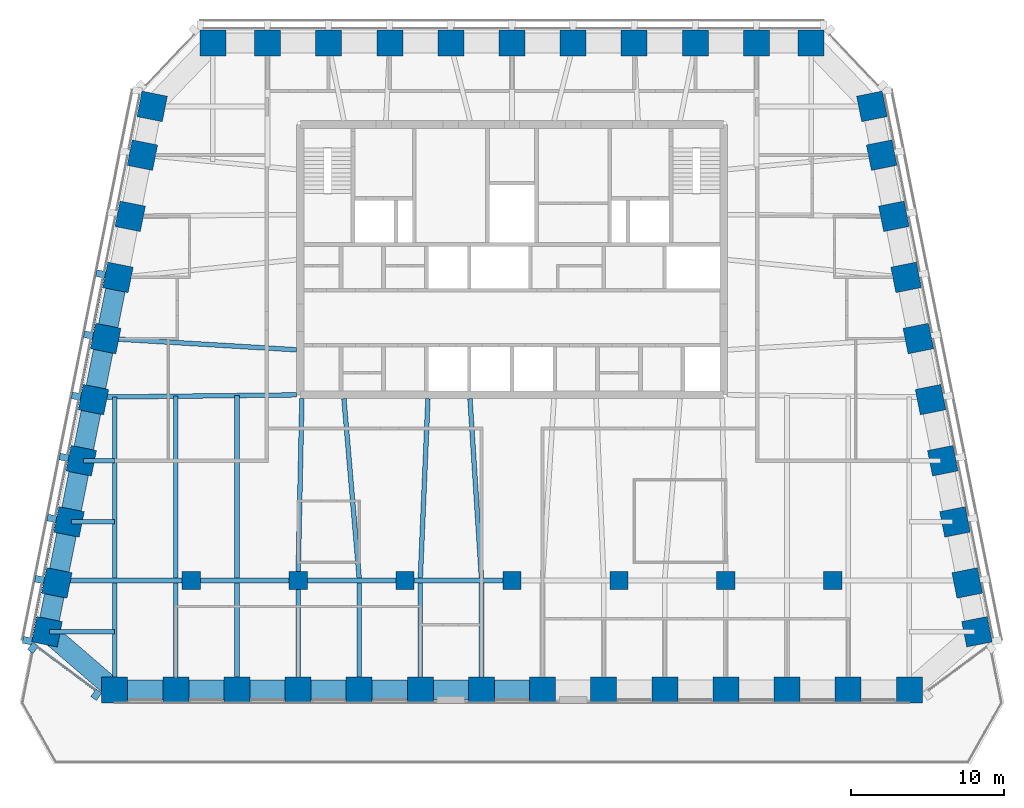
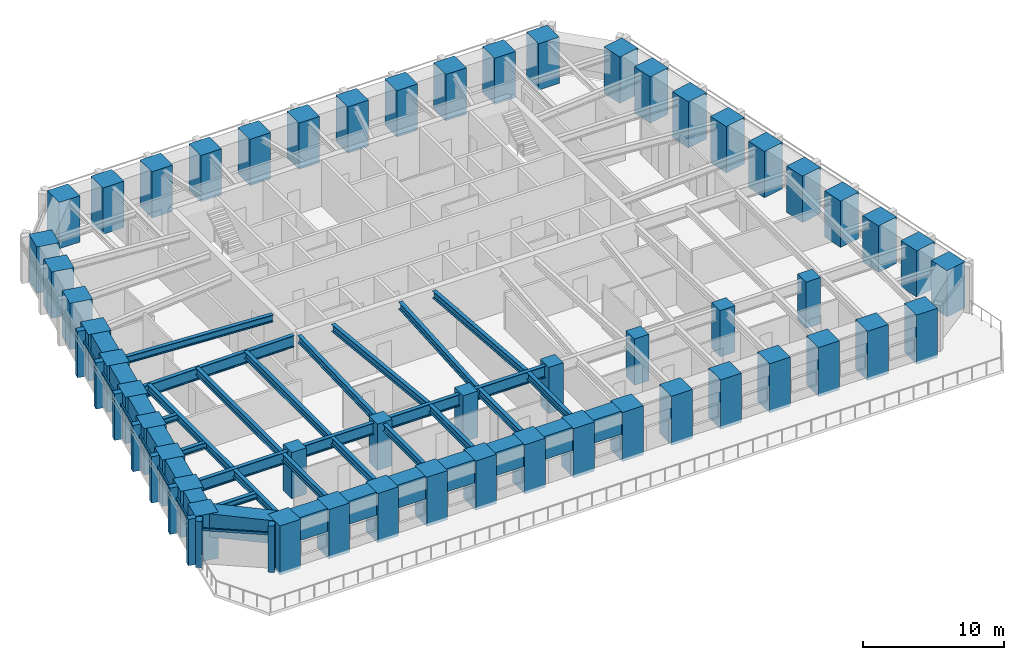
# One storey, part 1 of 10: 52 columns, 37 beams, 16 members, 2 elements without a shape of their own.
"""IFC4 building model written with IfcOpenShell, lengths in metres."""

from ifc_helpers import new_model, si_unit, direction, frame, origin, origin_2d, place, context, subcontext, project, spatial, rectangle, i_section, extrude, material, material_profile, profile_set, type_object, element, aggregate, save


model = new_model("IFC4")

# Units and contexts
model_context = context("Model", 3, precision=1e-05, world=origin(), true_north=direction((0.0, 1.0)))
body_context = subcontext(model_context, "Body", "Model", "MODEL_VIEW")
ifc_project = project(units=[si_unit("LENGTHUNIT", "METRE"), si_unit("AREAUNIT", "SQUARE_METRE"), si_unit("VOLUMEUNIT", "CUBIC_METRE"), si_unit("PLANEANGLEUNIT", "RADIAN"), si_unit("MASSUNIT", "GRAM", prefix="KILO")], contexts=[model_context])

# Site, building, storey
site_placement = place(None, origin())
site = spatial("IfcSite", under=ifc_project, at=site_placement, CompositionType="ELEMENT")
building_placement = place(site_placement, origin())
building = spatial("IfcBuilding", under=site, at=building_placement, Name="Isbrekke Arena Tower", CompositionType="ELEMENT")
storey_placement = place(building_placement, frame((0.0, 0.0, 260.0)))
storey = spatial("IfcBuildingStorey", under=building, at=storey_placement, Name="L60", CompositionType="ELEMENT", Elevation=260.0)

# Columns
ifc_material_1 = material(Name="Concrete B55 (C55/67)", Category="concrete")
ifc_material_profile_1 = material_profile(ifc_material_1, rectangle(XDim=1.199951171875, YDim=1.199951171875, at=origin_2d()), Name="RC 1200x1200")
ifc_profile_set_1 = profile_set([ifc_material_profile_1], Name="Concrete B55 (C55/67)")
column_type_1 = type_object("IfcColumnType", Name="C14 RC 1200 x 1200", PredefinedType="COLUMN", material=ifc_profile_set_1)
for number, where, z_axis, x_axis, name in (
    (1, (-21.0, -6.0, 0.0), (0.0, 0.0, 1.0), (1.0, 0.0, 0.0), "C14 I01"),
    (2, (-14.0, -6.0, 0.0), (0.0, 0.0, 1.0), (1.0, 0.0, 0.0), "C14 I02"),
    (3, (-7.0, -6.0, 0.0), (0.0, 0.0, 1.0), (1.0, 0.0, 0.0), "C14 I03"),
    (4, (0.0, -6.0, 0.0), (0.0, 0.0, 1.0), (1.0, 0.0, 0.0), "C14 I04"),
    (5, (7.0, -6.0, 0.0), (0.0, 0.0, 1.0), (1.0, 0.0, 0.0), "C14 I05"),
    (6, (14.0, -6.0, 0.0), (0.0, 0.0, 1.0), (1.0, 0.0, 0.0), "C14 I06"),
    (7, (21.0, -6.0, 0.0), (0.0, 0.0, 1.0), (1.0, 0.0, 0.0), "C14 I07"),
):
    element("IfcColumn", number, at=place(storey_placement, frame(where, z_axis=z_axis, x_axis=x_axis)), inside=storey, type_object=column_type_1, Name=name, PredefinedType="COLUMN", context=body_context, shape_type="SweptSolid", body=[
        extrude(rectangle(XDim=1.199951171875, YDim=1.199951171875, at=origin_2d()), origin(), (0.0, 0.0, 1.0), 4.0),
    ])
ifc_material_2 = material(Name="Concrete B55 (C55/67)", Category="concrete")
ifc_material_profile_2 = material_profile(ifc_material_2, rectangle(XDim=1.699951171875, YDim=1.699951171875, at=origin_2d()), Name="RC 1700x1700")
ifc_profile_set_2 = profile_set([ifc_material_profile_2], Name="Concrete B55 (C55/67)")
column_type_2 = type_object("IfcColumnType", Name="C5 RC 1700 x 1700", PredefinedType="COLUMN", material=ifc_profile_set_2)
for number, where, z_axis, x_axis, name in (
    (8, (-26.0, -13.175048828125, -0.25), (0.0, 0.0, 1.0), (1.0, 0.0, 0.0), "C5 S01"),
    (9, (-22.0, -13.175048828125, -0.25), (0.0, 0.0, 1.0), (1.0, 0.0, 0.0), "C5 S02"),
    (10, (-18.0, -13.175048828125, -0.25), (0.0, 0.0, 1.0), (1.0, 0.0, 0.0), "C5 S03"),
    (11, (-14.0, -13.175048828125, -0.25), (0.0, 0.0, 1.0), (1.0, 0.0, 0.0), "C5 S04"),
    (12, (-10.0, -13.175048828125, -0.25), (0.0, 0.0, 1.0), (1.0, 0.0, 0.0), "C5 S05"),
    (13, (-6.0, -13.175048828125, -0.25), (0.0, 0.0, 1.0), (1.0, 0.0, 0.0), "C5 S06"),
    (14, (-2.0, -13.175048828125, -0.25), (0.0, 0.0, 1.0), (1.0, 0.0, 0.0), "C5 S07"),
    (15, (2.0, -13.175048828125, -0.25), (0.0, 0.0, 1.0), (1.0, 0.0, 0.0), "C5 S08"),
    (16, (6.0, -13.175048828125, -0.25), (0.0, 0.0, 1.0), (1.0, 0.0, 0.0), "C5 S09"),
    (17, (10.0, -13.175048828125, -0.25), (0.0, 0.0, 1.0), (1.0, 0.0, 0.0), "C5 S10"),
    (18, (14.0, -13.175048828125, -0.25), (0.0, 0.0, 1.0), (1.0, 0.0, 0.0), "C5 S11"),
    (19, (18.0, -13.175048828125, -0.25), (0.0, 0.0, 1.0), (1.0, 0.0, 0.0), "C5 S12"),
    (20, (22.0, -13.175048828125, -0.25), (0.0, 0.0, 1.0), (1.0, 0.0, 0.0), "C5 S13"),
    (21, (26.0, -13.175048828125, -0.25), (0.0, 0.0, 1.0), (1.0, 0.0, 0.0), "C5 S14"),
):
    element("IfcColumn", number, at=place(storey_placement, frame(where, z_axis=z_axis, x_axis=x_axis)), inside=storey, type_object=column_type_2, Name=name, PredefinedType="COLUMN", context=body_context, shape_type="SweptSolid", body=[
        extrude(rectangle(XDim=1.699951171875, YDim=1.699951171875, at=origin_2d()), origin(), (0.0, 0.0, 1.0), 4.25),
    ])
for number, where, z_axis, x_axis, name in (
    (22, (30.42919921875, -9.352783203125, 0.0), (0.0, 0.0, 1.0), (-0.196116135138, 0.980580675691, 0.0), "C5 E01"),
    (23, (29.791015625, -6.161865234375, 0.0), (0.0, 0.0, 1.0), (-0.196116135138, 0.980580675691, 0.0), "C5 E02"),
    (24, (28.990966796875, -2.161865234375, 0.0), (0.0, 0.0, 1.0), (-0.196116135138, 0.980580675691, 0.0), "C5 E03"),
    (25, (28.19091796875, 1.838134765625, 0.0), (0.0, 0.0, 1.0), (-0.196116135138, 0.980580675691, 0.0), "C5 E04"),
    (26, (27.39111328125, 5.838134765625, 0.0), (0.0, 0.0, 1.0), (-0.196116135138, 0.980580675691, 0.0), "C5 E05"),
    (27, (26.591064453125, 9.838134765625, 0.0), (0.0, 0.0, 1.0), (-0.196116135138, 0.980580675691, 0.0), "C5 E06"),
    (28, (25.791015625, 13.838134765625, 0.0), (0.0, 0.0, 1.0), (-0.196116135138, 0.980580675691, 0.0), "C5 E07"),
    (29, (24.990966796875, 17.838134765625, 0.0), (0.0, 0.0, 1.0), (-0.196116135138, 0.980580675691, 0.0), "C5 E08"),
    (30, (24.19091796875, 21.838134765625, 0.0), (0.0, 0.0, 1.0), (-0.196116135138, 0.980580675691, 0.0), "C5 E09"),
    (31, (23.552734375, 25.029296875, 0.0), (0.0, 0.0, 1.0), (-0.196116135138, 0.980580675691, 0.0), "C5 E10"),
    (32, (19.574951171875, 29.175048828125, 0.0), (0.0, 0.0, 1.0), (-1.0, 0.0, 0.0), "C5 N01"),
    (33, (16.0, 29.175048828125, 0.0), (0.0, 0.0, 1.0), (-1.0, 0.0, 0.0), "C5 N02"),
    (34, (12.0, 29.175048828125, 0.0), (0.0, 0.0, 1.0), (-1.0, 0.0, 0.0), "C5 N03"),
    (35, (8.0, 29.175048828125, 0.0), (0.0, 0.0, 1.0), (-1.0, 0.0, 0.0), "C5 N04"),
    (36, (4.0, 29.175048828125, 0.0), (0.0, 0.0, 1.0), (-1.0, 0.0, 0.0), "C5 N05"),
    (37, (0.0, 29.175048828125, 0.0), (0.0, 0.0, 1.0), (-1.0, 0.0, 0.0), "C5 N06"),
    (38, (-4.0, 29.175048828125, 0.0), (0.0, 0.0, 1.0), (-1.0, 0.0, 0.0), "C5 N07"),
    (39, (-8.0, 29.175048828125, 0.0), (0.0, 0.0, 1.0), (-1.0, 0.0, 0.0), "C5 N08"),
    (40, (-12.0, 29.175048828125, 0.0), (0.0, 0.0, 1.0), (-1.0, 0.0, 0.0), "C5 N09"),
    (41, (-16.0, 29.175048828125, 0.0), (0.0, 0.0, 1.0), (-1.0, 0.0, 0.0), "C5 N10"),
    (42, (-19.574951171875, 29.175048828125, 0.0), (0.0, 0.0, 1.0), (-1.0, 0.0, 0.0), "C5 N11"),
    (43, (-23.552734375, 25.029296875, 0.0), (0.0, 0.0, 1.0), (-0.196116135138, -0.980580675691, 0.0), "C5 W01"),
    (44, (-24.19091796875, 21.838134765625, 0.0), (0.0, 0.0, 1.0), (-0.196116135138, -0.980580675691, 0.0), "C5 W02"),
    (45, (-24.990966796875, 17.838134765625, 0.0), (0.0, 0.0, 1.0), (-0.196116135138, -0.980580675691, 0.0), "C5 W03"),
    (46, (-25.791015625, 13.838134765625, 0.0), (0.0, 0.0, 1.0), (-0.196116135138, -0.980580675691, 0.0), "C5 W04"),
    (47, (-26.591064453125, 9.838134765625, 0.0), (0.0, 0.0, 1.0), (-0.196116135138, -0.980580675691, 0.0), "C5 W05"),
    (48, (-27.39111328125, 5.838134765625, 0.0), (0.0, 0.0, 1.0), (-0.196116135138, -0.980580675691, 0.0), "C5 W06"),
    (49, (-28.19091796875, 1.838134765625, 0.0), (0.0, 0.0, 1.0), (-0.196116135138, -0.980580675691, 0.0), "C5 W07"),
    (50, (-28.990966796875, -2.161865234375, 0.0), (0.0, 0.0, 1.0), (-0.196116135138, -0.980580675691, 0.0), "C5 W08"),
    (51, (-29.791015625, -6.161865234375, 0.0), (0.0, 0.0, 1.0), (-0.196116135138, -0.980580675691, 0.0), "C5 W09"),
    (52, (-30.42919921875, -9.352783203125, 0.0), (0.0, 0.0, 1.0), (-0.196116135138, -0.980580675691, 0.0), "C5 W10"),
):
    element("IfcColumn", number, at=place(storey_placement, frame(where, z_axis=z_axis, x_axis=x_axis)), inside=storey, type_object=column_type_2, Name=name, PredefinedType="COLUMN", context=body_context, shape_type="SweptSolid", body=[
        extrude(rectangle(XDim=1.699951171875, YDim=1.699951171875, at=origin_2d()), origin(), (0.0, 0.0, 1.0), 4.0),
    ])

# Beams
ifc_material_3 = material(Name="Steel S355", Category="steel")
ifc_material_profile_3 = material_profile(ifc_material_3, i_section(OverallWidth=0.304931640625, OverallDepth=0.6201171875, WebThickness=0.02099609375, FlangeThickness=0.0400390625, FilletRadius=0.027099609375, at=origin_2d()), Name="HEM 600")
ifc_profile_set_3 = profile_set([ifc_material_profile_3], Name="Steel S355")
beam_type_1 = type_object("IfcBeamType", Name="B4 HEM 600", PredefinedType="BEAM", material=ifc_profile_set_3)
for number, where, z_axis, x_axis, name in (
    (53, (-26.0, -13.02490234375, 3.5400390625), (0.0, 1.0, 0.0), (-1.0, 0.0, 0.0), "B4 beam S-S01 L60"),
    (54, (-22.0, -13.02490234375, 3.5400390625), (0.0, 1.0, 0.0), (-1.0, 0.0, 0.0), "B4 beam S-S02 L60"),
    (55, (-18.0, -13.02490234375, 3.5400390625), (0.0, 1.0, 0.0), (-1.0, 0.0, 0.0), "B4 beam S-S03 L60"),
):
    element("IfcBeam", number, at=place(storey_placement, frame(where, z_axis=z_axis, x_axis=x_axis)), inside=storey, type_object=beam_type_1, Name=name, PredefinedType="BEAM", context=body_context, shape_type="SweptSolid", body=[
        extrude(i_section(OverallWidth=0.304931640625, OverallDepth=0.6201171875, WebThickness=0.02099609375, FlangeThickness=0.0400390625, FilletRadius=0.027099609375, at=origin_2d()), origin(), (0.0, 0.0, 1.0), 6.8740234375),
    ])
beam_1_placement = place(storey_placement, frame((-14.0, -13.02490234375, 3.5400390625), z_axis=(0.0, 1.0, 0.0), x_axis=(-1.0, 0.0, 0.0)))
element("IfcBeam", 56, at=beam_1_placement, inside=storey, type_object=beam_type_1, Name="B4 beam S-S04 L60", PredefinedType="BEAM", context=body_context, shape_type="SweptSolid", body=[
    extrude(i_section(OverallWidth=0.304931640625, OverallDepth=0.6201171875, WebThickness=0.02099609375, FlangeThickness=0.0400390625, FilletRadius=0.027099609375, at=origin_2d()), origin(), (0.0, 0.0, 1.0), 6.875),
])
for number, where, z_axis, x_axis, name in (
    (57, (-10.0, -13.02490234375, 3.5400390625), (0.0, 1.0, 0.0), (-1.0, 0.0, 0.0), "B4 beam S-S05 L60"),
    (58, (-6.0, -13.02490234375, 3.5400390625), (0.0, 1.0, 0.0), (-1.0, 0.0, 0.0), "B4 beam S-S06 L60"),
    (59, (-2.0, -13.02490234375, 3.5400390625), (0.0, 1.0, 0.0), (-1.0, 0.0, 0.0), "B4 beam S-S07 L60"),
):
    element("IfcBeam", number, at=place(storey_placement, frame(where, z_axis=z_axis, x_axis=x_axis)), inside=storey, type_object=beam_type_1, Name=name, PredefinedType="BEAM", context=body_context, shape_type="SweptSolid", body=[
        extrude(i_section(OverallWidth=0.304931640625, OverallDepth=0.6201171875, WebThickness=0.02099609375, FlangeThickness=0.0400390625, FilletRadius=0.027099609375, at=origin_2d()), origin(), (0.0, 0.0, 1.0), 6.8740234375),
    ])
beam_2_placement = place(storey_placement, frame((-26.0, -5.84912109375, 3.5400390625), z_axis=(0.0, 1.0, 0.0), x_axis=(-1.0, 0.0, 0.0)))
element("IfcBeam", 60, at=beam_2_placement, inside=storey, type_object=beam_type_1, Name="B4 beam C-M01 L60", PredefinedType="BEAM", context=body_context, shape_type="SweptSolid", body=[
    extrude(i_section(OverallWidth=0.304931640625, OverallDepth=0.6201171875, WebThickness=0.02099609375, FlangeThickness=0.0400390625, FilletRadius=0.027099609375, at=origin_2d()), origin(), (0.0, 0.0, 1.0), 11.86474609375),
])
beam_3_placement = place(storey_placement, frame((-22.0, -5.84912109375, 3.5400390625), z_axis=(0.0, 1.0, 0.0), x_axis=(-1.0, 0.0, 0.0)))
element("IfcBeam", 61, at=beam_3_placement, inside=storey, type_object=beam_type_1, Name="B4 beam C-M02 L60", PredefinedType="BEAM", context=body_context, shape_type="SweptSolid", body=[
    extrude(i_section(OverallWidth=0.304931640625, OverallDepth=0.6201171875, WebThickness=0.02099609375, FlangeThickness=0.0400390625, FilletRadius=0.027099609375, at=origin_2d()), origin(), (0.0, 0.0, 1.0), 11.909912109375),
])
beam_4_placement = place(storey_placement, frame((-18.0, -5.84912109375, 3.5400390625), z_axis=(0.0, 1.0, 0.0), x_axis=(-1.0, 0.0, 0.0)))
element("IfcBeam", 62, at=beam_4_placement, inside=storey, type_object=beam_type_1, Name="B4 beam C-M03 L60", PredefinedType="BEAM", context=body_context, shape_type="SweptSolid", body=[
    extrude(i_section(OverallWidth=0.304931640625, OverallDepth=0.6201171875, WebThickness=0.02099609375, FlangeThickness=0.0400390625, FilletRadius=0.027099609375, at=origin_2d()), origin(), (0.0, 0.0, 1.0), 11.955078125),
])
beam_5_placement = place(storey_placement, frame((-14.0, -5.8466796875, 3.5400390625), z_axis=(0.021277968258, 0.999773598405, 0.0), x_axis=(-0.999773598405, 0.021277968258, 0.0)))
element("IfcBeam", 63, at=beam_5_placement, inside=storey, type_object=beam_type_1, Name="B4 beam C-M04 L60", PredefinedType="BEAM", context=body_context, shape_type="SweptSolid", body=[
    extrude(i_section(OverallWidth=0.304931640625, OverallDepth=0.6201171875, WebThickness=0.02099609375, FlangeThickness=0.0400390625, FilletRadius=0.027099609375, at=origin_2d()), origin(), (0.0, 0.0, 1.0), 11.749267578125),
])
beam_6_placement = place(storey_placement, frame((-10.0009765625, -5.836181640625, 3.5400390625), z_axis=(-0.084817344046, 0.996396516528, 0.0), x_axis=(-0.996396516528, -0.084817344046, 0.0)))
element("IfcBeam", 64, at=beam_6_placement, inside=storey, type_object=beam_type_1, Name="B4 beam C-M05 L60", PredefinedType="BEAM", context=body_context, shape_type="SweptSolid", body=[
    extrude(i_section(OverallWidth=0.304931640625, OverallDepth=0.6201171875, WebThickness=0.02099609375, FlangeThickness=0.0400390625, FilletRadius=0.027099609375, at=origin_2d()), origin(), (0.0, 0.0, 1.0), 11.778564453125),
])
beam_7_placement = place(storey_placement, frame((-5.999755859375, -5.842529296875, 3.5400390625), z_axis=(0.042521334166, 0.999095559064, 0.0), x_axis=(-0.999095559064, 0.042521334166, 0.0)))
element("IfcBeam", 65, at=beam_7_placement, inside=storey, type_object=beam_type_1, Name="B4 beam C-M06 L60", PredefinedType="BEAM", context=body_context, shape_type="SweptSolid", body=[
    extrude(i_section(OverallWidth=0.304931640625, OverallDepth=0.6201171875, WebThickness=0.02099609375, FlangeThickness=0.0400390625, FilletRadius=0.027099609375, at=origin_2d()), origin(), (0.0, 0.0, 1.0), 11.753173828125),
])
beam_8_placement = place(storey_placement, frame((-2.000732421875, -5.83935546875, 3.5400390625), z_axis=(-0.063696196046, 0.997969335506, 0.0), x_axis=(-0.997969335506, -0.063696196046, 0.0)))
element("IfcBeam", 66, at=beam_8_placement, inside=storey, type_object=beam_type_1, Name="B4 beam C-M07 L60", PredefinedType="BEAM", context=body_context, shape_type="SweptSolid", body=[
    extrude(i_section(OverallWidth=0.304931640625, OverallDepth=0.6201171875, WebThickness=0.02099609375, FlangeThickness=0.0400390625, FilletRadius=0.027099609375, at=origin_2d()), origin(), (0.0, 0.0, 1.0), 11.76318359375),
])
beam_9_placement = place(storey_placement, frame((-26.431884765625, 9.837646484375, 3.5400390625), z_axis=(0.998216240514, -0.059702070095, 0.0), x_axis=(0.059702070095, 0.998216240514, 0.0)))
element("IfcBeam", 67, at=beam_9_placement, inside=storey, type_object=beam_type_1, Name="B4 beam E-W05 L60", PredefinedType="BEAM", context=body_context, shape_type="SweptSolid", body=[
    extrude(i_section(OverallWidth=0.304931640625, OverallDepth=0.6201171875, WebThickness=0.02099609375, FlangeThickness=0.0400390625, FilletRadius=0.027099609375, at=origin_2d()), origin(), (0.0, 0.0, 1.0), 12.353759765625),
])
ifc_material_4 = material(Name="Steel S355", Category="steel")
ifc_material_profile_4 = material_profile(ifc_material_4, i_section(OverallWidth=0.305908203125, OverallDepth=0.52392578125, WebThickness=0.02099609375, FlangeThickness=0.0400390625, FilletRadius=0.027099609375, at=origin_2d()), Name="HEM 500")
ifc_profile_set_4 = profile_set([ifc_material_profile_4], Name="Steel S355")
beam_type_2 = type_object("IfcBeamType", Name="B5 HEM 500", PredefinedType="BEAM", material=ifc_profile_set_4)
beam_10_placement = place(storey_placement, frame((-28.041015625, 1.838134765625, 3.587890625), z_axis=(1.0, 0.0, 0.0), x_axis=(0.0, 1.0, 0.0)))
element("IfcBeam", 68, at=beam_10_placement, inside=storey, type_object=beam_type_2, Name="B5 beam E-W07 L60", PredefinedType="BEAM", context=body_context, shape_type="SweptSolid", body=[
    extrude(i_section(OverallWidth=0.305908203125, OverallDepth=0.52392578125, WebThickness=0.02099609375, FlangeThickness=0.0400390625, FilletRadius=0.027099609375, at=origin_2d()), origin(), (0.0, 0.0, 1.0), 2.041015625),
])
beam_11_placement = place(storey_placement, frame((-28.841064453125, -2.161865234375, 3.587890625), z_axis=(1.0, 0.0, 0.0), x_axis=(0.0, 1.0, 0.0)))
element("IfcBeam", 69, at=beam_11_placement, inside=storey, type_object=beam_type_2, Name="B5 beam E-W08 L60", PredefinedType="BEAM", context=body_context, shape_type="SweptSolid", body=[
    extrude(i_section(OverallWidth=0.305908203125, OverallDepth=0.52392578125, WebThickness=0.02099609375, FlangeThickness=0.0400390625, FilletRadius=0.027099609375, at=origin_2d()), origin(), (0.0, 0.0, 1.0), 2.841064453125),
])
beam_12_placement = place(storey_placement, frame((-30.279296875, -9.352783203125, 3.587890625), z_axis=(1.0, 0.0, 0.0), x_axis=(0.0, 1.0, 0.0)))
element("IfcBeam", 70, at=beam_12_placement, inside=storey, type_object=beam_type_2, Name="B5 beam E-W10 L60", PredefinedType="BEAM", context=body_context, shape_type="SweptSolid", body=[
    extrude(i_section(OverallWidth=0.305908203125, OverallDepth=0.52392578125, WebThickness=0.02099609375, FlangeThickness=0.0400390625, FilletRadius=0.027099609375, at=origin_2d()), origin(), (0.0, 0.0, 1.0), 4.279296875),
])

# Curtain wall, members
ifc_material_5 = material(Name="Glazed aluminium curtain wall", Category="aluminium")
curtain_wall_type = type_object("IfcCurtainWallType", Name="CWT TOWER CURTAIN WALL TOP ZONE", PredefinedType="USERDEFINED", material=ifc_material_5)
curtain_wall_1_placement = place(storey_placement, origin())
curtain_wall_1 = element("IfcCurtainWall", 71, at=curtain_wall_1_placement, inside=storey, type_object=curtain_wall_type, Name="CWT curtain wall L60-W", ObjectType="TOWER CURTAIN WALL TOP ZONE", PredefinedType="USERDEFINED")
ifc_material_6 = material(Name="Copper-clad aluminium mullion", Category="aluminium")
ifc_material_profile_5 = material_profile(ifc_material_6, rectangle(XDim=0.449951171875, YDim=0.60009765625, at=origin_2d()), Name="PIER 450X600")
ifc_profile_set_5 = profile_set([ifc_material_profile_5], Name="Copper-clad aluminium mullion")
member_type_1 = type_object("IfcMemberType", Name="CWT-M PIER MULLION 450 x 600", PredefinedType="MULLION", material=ifc_profile_set_5)
member_1_placement = place(storey_placement, frame((-26.918701171875, 14.063720703125, 0.0), z_axis=(0.0, 0.0, 1.0), x_axis=(-0.196116135138, -0.980580675691, 0.0)))
member_1 = element("IfcMember", 72, at=member_1_placement, type_object=member_type_1, Name="CWT-M mullion 4", PredefinedType="MULLION", context=body_context, shape_type="SweptSolid", body=[
    extrude(rectangle(XDim=0.449951171875, YDim=0.60009765625, at=origin_2d()), origin(), (0.0, 0.0, 1.0), 4.0),
])
member_2_placement = place(storey_placement, frame((-27.71875, 10.063720703125, 0.0), z_axis=(0.0, 0.0, 1.0), x_axis=(-0.196116135138, -0.980580675691, 0.0)))
member_2 = element("IfcMember", 73, at=member_2_placement, type_object=member_type_1, Name="CWT-M mullion 5", PredefinedType="MULLION", context=body_context, shape_type="SweptSolid", body=[
    extrude(rectangle(XDim=0.449951171875, YDim=0.60009765625, at=origin_2d()), origin(), (0.0, 0.0, 1.0), 4.0),
])
member_3_placement = place(storey_placement, frame((-28.518798828125, 6.063720703125, 0.0), z_axis=(0.0, 0.0, 1.0), x_axis=(-0.196116135138, -0.980580675691, 0.0)))
member_3 = element("IfcMember", 74, at=member_3_placement, type_object=member_type_1, Name="CWT-M mullion 6", PredefinedType="MULLION", context=body_context, shape_type="SweptSolid", body=[
    extrude(rectangle(XDim=0.449951171875, YDim=0.60009765625, at=origin_2d()), origin(), (0.0, 0.0, 1.0), 4.0),
])
member_4_placement = place(storey_placement, frame((-29.318603515625, 2.063720703125, 0.0), z_axis=(0.0, 0.0, 1.0), x_axis=(-0.196116135138, -0.980580675691, 0.0)))
member_4 = element("IfcMember", 75, at=member_4_placement, type_object=member_type_1, Name="CWT-M mullion 7", PredefinedType="MULLION", context=body_context, shape_type="SweptSolid", body=[
    extrude(rectangle(XDim=0.449951171875, YDim=0.60009765625, at=origin_2d()), origin(), (0.0, 0.0, 1.0), 4.0),
])
member_5_placement = place(storey_placement, frame((-30.11865234375, -1.936279296875, 0.0), z_axis=(0.0, 0.0, 1.0), x_axis=(-0.196116135138, -0.980580675691, 0.0)))
member_5 = element("IfcMember", 76, at=member_5_placement, type_object=member_type_1, Name="CWT-M mullion 8", PredefinedType="MULLION", context=body_context, shape_type="SweptSolid", body=[
    extrude(rectangle(XDim=0.449951171875, YDim=0.60009765625, at=origin_2d()), origin(), (0.0, 0.0, 1.0), 4.0),
])
member_6_placement = place(storey_placement, frame((-30.918701171875, -5.936279296875, 0.0), z_axis=(0.0, 0.0, 1.0), x_axis=(-0.196116135138, -0.980580675691, 0.0)))
member_6 = element("IfcMember", 77, at=member_6_placement, type_object=member_type_1, Name="CWT-M mullion 9", PredefinedType="MULLION", context=body_context, shape_type="SweptSolid", body=[
    extrude(rectangle(XDim=0.449951171875, YDim=0.60009765625, at=origin_2d()), origin(), (0.0, 0.0, 1.0), 4.0),
])
member_7_placement = place(storey_placement, frame((-31.71875, -9.936279296875, 0.0), z_axis=(0.0, 0.0, 1.0), x_axis=(-0.196116135138, -0.980580675691, 0.0)))
member_7 = element("IfcMember", 78, at=member_7_placement, type_object=member_type_1, Name="CWT-M mullion 10", PredefinedType="MULLION", context=body_context, shape_type="SweptSolid", body=[
    extrude(rectangle(XDim=0.449951171875, YDim=0.60009765625, at=origin_2d()), origin(), (0.0, 0.0, 1.0), 4.0),
])

curtain_wall_2_placement = place(storey_placement, origin())
curtain_wall_2 = element("IfcCurtainWall", 79, at=curtain_wall_2_placement, inside=storey, type_object=curtain_wall_type, Name="CWT curtain wall L60-WS", ObjectType="TOWER CURTAIN WALL TOP ZONE", PredefinedType="USERDEFINED")
member_8_placement = place(storey_placement, frame((-31.355224609375, -10.406494140625, 0.0), z_axis=(0.0, 0.0, 1.0), x_axis=(0.803557193345, -0.595227550626, 0.0)))
member_8 = element("IfcMember", 80, at=member_8_placement, type_object=member_type_1, Name="CWT-M mullion 1", PredefinedType="MULLION", context=body_context, shape_type="SweptSolid", body=[
    extrude(rectangle(XDim=0.449951171875, YDim=0.60009765625, at=origin_2d()), origin(), (0.0, 0.0, 1.0), 4.0),
])
member_9_placement = place(storey_placement, frame((-27.207275390625, -13.47900390625, 0.0), z_axis=(0.0, 0.0, 1.0), x_axis=(0.803557193345, -0.595227550626, 0.0)))
member_9 = element("IfcMember", 81, at=member_9_placement, type_object=member_type_1, Name="CWT-M mullion 2", PredefinedType="MULLION", context=body_context, shape_type="SweptSolid", body=[
    extrude(rectangle(XDim=0.449951171875, YDim=0.60009765625, at=origin_2d()), origin(), (0.0, 0.0, 1.0), 4.0),
])

# Member
ifc_material_7 = material(Name="Aluminium transom", Category="aluminium")
ifc_material_profile_6 = material_profile(ifc_material_7, rectangle(XDim=0.1201171875, YDim=0.199951171875, at=origin_2d()), Name="TRANSOM 120X200")
ifc_profile_set_6 = profile_set([ifc_material_profile_6], Name="Aluminium transom")
member_type_2 = type_object("IfcMemberType", Name="CWT-T TRANSOM 120 x 200", PredefinedType="USERDEFINED", material=ifc_profile_set_6)
member_10_placement = place(storey_placement, frame((-26.7666015625, 13.803955078125, 3.0), z_axis=(-0.196154943734, -0.980572913173, 0.0), x_axis=(0.980572913173, -0.196154943734, 0.0)))
member_10 = element("IfcMember", 82, at=member_10_placement, type_object=member_type_2, Name="CWT-T transom 4", ObjectType="TRANSOM", PredefinedType="USERDEFINED", context=body_context, shape_type="SweptSolid", body=[
    extrude(rectangle(XDim=0.1201171875, YDim=0.199951171875, at=origin_2d()), origin(), (0.0, 0.0, 1.0), 3.62939453125),
])

member_11_placement = place(storey_placement, frame((-27.566650390625, 9.803955078125, 3.0), z_axis=(-0.196154943734, -0.980572913173, 0.0), x_axis=(0.980572913173, -0.196154943734, 0.0)))
member_11 = element("IfcMember", 83, at=member_11_placement, type_object=member_type_2, Name="CWT-T transom 5", ObjectType="TRANSOM", PredefinedType="USERDEFINED", context=body_context, shape_type="SweptSolid", body=[
    extrude(rectangle(XDim=0.1201171875, YDim=0.199951171875, at=origin_2d()), origin(), (0.0, 0.0, 1.0), 3.62939453125),
])

member_12_placement = place(storey_placement, frame((-28.36669921875, 5.803955078125, 3.0), z_axis=(-0.196090262229, -0.980585849918, 0.0), x_axis=(0.980585849918, -0.196090262229, 0.0)))
member_12 = element("IfcMember", 84, at=member_12_placement, type_object=member_type_2, Name="CWT-T transom 6", ObjectType="TRANSOM", PredefinedType="USERDEFINED", context=body_context, shape_type="SweptSolid", body=[
    extrude(rectangle(XDim=0.1201171875, YDim=0.199951171875, at=origin_2d()), origin(), (0.0, 0.0, 1.0), 3.62939453125),
])

member_13_placement = place(storey_placement, frame((-29.166748046875, 1.803955078125, 3.0), z_axis=(-0.196090262229, -0.980585849918, 0.0), x_axis=(0.980585849918, -0.196090262229, 0.0)))
member_13 = element("IfcMember", 85, at=member_13_placement, type_object=member_type_2, Name="CWT-T transom 7", ObjectType="TRANSOM", PredefinedType="USERDEFINED", context=body_context, shape_type="SweptSolid", body=[
    extrude(rectangle(XDim=0.1201171875, YDim=0.199951171875, at=origin_2d()), origin(), (0.0, 0.0, 1.0), 3.62939453125),
])

member_14_placement = place(storey_placement, frame((-29.966796875, -2.196044921875, 3.0), z_axis=(-0.196090262229, -0.980585849918, 0.0), x_axis=(0.980585849918, -0.196090262229, 0.0)))
member_14 = element("IfcMember", 86, at=member_14_placement, type_object=member_type_2, Name="CWT-T transom 8", ObjectType="TRANSOM", PredefinedType="USERDEFINED", context=body_context, shape_type="SweptSolid", body=[
    extrude(rectangle(XDim=0.1201171875, YDim=0.199951171875, at=origin_2d()), origin(), (0.0, 0.0, 1.0), 3.62939453125),
])

member_15_placement = place(storey_placement, frame((-30.7666015625, -6.196044921875, 3.0), z_axis=(-0.196154943734, -0.980572913173, 0.0), x_axis=(0.980572913173, -0.196154943734, 0.0)))
member_15 = element("IfcMember", 87, at=member_15_placement, type_object=member_type_2, Name="CWT-T transom 9", ObjectType="TRANSOM", PredefinedType="USERDEFINED", context=body_context, shape_type="SweptSolid", body=[
    extrude(rectangle(XDim=0.1201171875, YDim=0.199951171875, at=origin_2d()), origin(), (0.0, 0.0, 1.0), 3.62939453125),
])

aggregate(curtain_wall_1, [member_1, member_2, member_3, member_4, member_5, member_6, member_7, member_10, member_11, member_12, member_13, member_14, member_15])

member_16_placement = place(storey_placement, frame((-31.055419921875, -10.379638671875, 3.0), z_axis=(0.803560864724, -0.595222594232, 0.0), x_axis=(0.595222594232, 0.803560864724, 0.0)))
member_16 = element("IfcMember", 88, at=member_16_placement, type_object=member_type_2, Name="CWT-T transom 1", ObjectType="TRANSOM", PredefinedType="USERDEFINED", context=body_context, shape_type="SweptSolid", body=[
    extrude(rectangle(XDim=0.1201171875, YDim=0.199951171875, at=origin_2d()), origin(), (0.0, 0.0, 1.0), 4.7119140625),
])

aggregate(curtain_wall_2, [member_8, member_9, member_16])

# Beams
ifc_material_8 = material(Name="Steel S355", Category="steel")
ifc_material_profile_7 = material_profile(ifc_material_8, i_section(OverallWidth=0.302001953125, OverallDepth=1.008056640625, WebThickness=0.02099609375, FlangeThickness=0.0400390625, FilletRadius=0.030029296875, at=origin_2d()), Name="HEM 1000")
ifc_profile_set_7 = profile_set([ifc_material_profile_7], Name="Steel S355")
beam_type_3 = type_object("IfcBeamType", Name="G1 HEM 1000", PredefinedType="BEAM", material=ifc_profile_set_7)
beam_13_placement = place(storey_placement, frame((-29.791015625, -6.0, 3.345947265625), z_axis=(1.0, 0.0, 0.0), x_axis=(0.0, 1.0, 0.0)))
element("IfcBeam", 89, at=beam_13_placement, inside=storey, type_object=beam_type_3, Name="G1 beam G1-01 L60", PredefinedType="BEAM", context=body_context, shape_type="SweptSolid", body=[
    extrude(i_section(OverallWidth=0.302001953125, OverallDepth=1.008056640625, WebThickness=0.02099609375, FlangeThickness=0.0400390625, FilletRadius=0.030029296875, at=origin_2d()), origin(), (0.0, 0.0, 1.0), 8.64111328125),
])
for number, where, z_axis, x_axis, name in (
    (90, (-20.85009765625, -6.0, 3.345947265625), (1.0, 0.0, 0.0), (0.0, 1.0, 0.0), "G1 beam G1-02 L60"),
    (91, (-13.85009765625, -6.0, 3.345947265625), (1.0, 0.0, 0.0), (0.0, 1.0, 0.0), "G1 beam G1-03 L60"),
    (92, (-6.85009765625, -6.0, 3.345947265625), (1.0, 0.0, 0.0), (0.0, 1.0, 0.0), "G1 beam G1-04 L60"),
):
    element("IfcBeam", number, at=place(storey_placement, frame(where, z_axis=z_axis, x_axis=x_axis)), inside=storey, type_object=beam_type_3, Name=name, PredefinedType="BEAM", context=body_context, shape_type="SweptSolid", body=[
        extrude(i_section(OverallWidth=0.302001953125, OverallDepth=1.008056640625, WebThickness=0.02099609375, FlangeThickness=0.0400390625, FilletRadius=0.030029296875, at=origin_2d()), origin(), (0.0, 0.0, 1.0), 6.7001953125),
    ])
ifc_material_9 = material(Name="Steel S355", Category="steel")
ifc_material_profile_8 = material_profile(ifc_material_9, i_section(OverallWidth=0.302001953125, OverallDepth=1.008056640625, WebThickness=0.02099609375, FlangeThickness=0.0400390625, FilletRadius=0.030029296875, at=origin_2d()), Name="HEM 1000")
ifc_profile_set_8 = profile_set([ifc_material_profile_8], Name="Steel S355")
beam_type_4 = type_object("IfcBeamType", Name="G2 HEM 1000", PredefinedType="BEAM", material=ifc_profile_set_8)
beam_14_placement = place(storey_placement, frame((-14.10009765625, 6.14990234375, 3.345947265625), z_axis=(-0.999936387749, -0.011279204565, 0.0), x_axis=(0.011279204565, -0.999936387749, 0.0)))
element("IfcBeam", 93, at=beam_14_placement, inside=storey, type_object=beam_type_4, Name="G2 beam G2-W L60", PredefinedType="BEAM", context=body_context, shape_type="SweptSolid", body=[
    extrude(i_section(OverallWidth=0.302001953125, OverallDepth=1.008056640625, WebThickness=0.02099609375, FlangeThickness=0.0400390625, FilletRadius=0.030029296875, at=origin_2d()), origin(), (0.0, 0.0, 1.0), 13.2900390625),
])
ifc_material_10 = material(Name="Concrete B55 (C55/67)", Category="concrete")
ifc_material_profile_9 = material_profile(ifc_material_10, rectangle(XDim=1.300048828125, YDim=2.0, at=origin_2d()), Name="RC 1300x2000")
ifc_profile_set_9 = profile_set([ifc_material_profile_9], Name="Concrete B55 (C55/67)")
beam_type_5 = type_object("IfcBeamType", Name="SB4 RC 1300 x 2000", PredefinedType="SPANDREL", material=ifc_profile_set_9)
for number, where, z_axis, x_axis, name in (
    (94, (-25.85009765625, -13.175048828125, 3.0), (1.0, 0.0, 0.0), (0.0, 1.0, 0.0), "SB4 spandrel S01-S02 L60"),
    (95, (-21.85009765625, -13.175048828125, 3.0), (1.0, 0.0, 0.0), (0.0, 1.0, 0.0), "SB4 spandrel S02-S03 L60"),
    (96, (-17.85009765625, -13.175048828125, 3.0), (1.0, 0.0, 0.0), (0.0, 1.0, 0.0), "SB4 spandrel S03-S04 L60"),
    (97, (-13.85009765625, -13.175048828125, 3.0), (1.0, 0.0, 0.0), (0.0, 1.0, 0.0), "SB4 spandrel S04-S05 L60"),
    (98, (-9.85009765625, -13.175048828125, 3.0), (1.0, 0.0, 0.0), (0.0, 1.0, 0.0), "SB4 spandrel S05-S06 L60"),
    (99, (-5.85009765625, -13.175048828125, 3.0), (1.0, 0.0, 0.0), (0.0, 1.0, 0.0), "SB4 spandrel S06-S07 L60"),
    (100, (-1.85009765625, -13.175048828125, 3.0), (1.0, 0.0, 0.0), (0.0, 1.0, 0.0), "SB4 spandrel S07-S08 L60"),
):
    element("IfcBeam", number, at=place(storey_placement, frame(where, z_axis=z_axis, x_axis=x_axis)), inside=storey, type_object=beam_type_5, Name=name, PredefinedType="SPANDREL", context=body_context, shape_type="SweptSolid", body=[
        extrude(rectangle(XDim=1.300048828125, YDim=2.0, at=origin_2d()), origin(), (0.0, 0.0, 1.0), 3.7001953125),
    ])
beam_15_placement = place(storey_placement, frame((-25.820556640625, 13.691162109375, 3.0), z_axis=(-0.1960664412, -0.980590613169, 0.0), x_axis=(0.980590613169, -0.1960664412, 0.0)))
element("IfcBeam", 101, at=beam_15_placement, inside=storey, type_object=beam_type_5, Name="SB4 spandrel W04-W05 L60", PredefinedType="SPANDREL", context=body_context, shape_type="SweptSolid", body=[
    extrude(rectangle(XDim=1.300048828125, YDim=2.0, at=origin_2d()), origin(), (0.0, 0.0, 1.0), 3.779052734375),
])
for number, where, z_axis, x_axis, name in (
    (102, (-26.620361328125, 9.691162109375, 3.0), (-0.196128558387, -0.980578190959, 0.0), (0.980578190959, -0.196128558387, 0.0), "SB4 spandrel W05-W06 L60"),
    (103, (-27.42041015625, 5.691162109375, 3.0), (-0.196128558387, -0.980578190959, 0.0), (0.980578190959, -0.196128558387, 0.0), "SB4 spandrel W06-W07 L60"),
    (104, (-28.220458984375, 1.691162109375, 3.0), (-0.196128558387, -0.980578190959, 0.0), (0.980578190959, -0.196128558387, 0.0), "SB4 spandrel W07-W08 L60"),
    (105, (-29.0205078125, -2.308837890625, 3.0), (-0.196128558387, -0.980578190959, 0.0), (0.980578190959, -0.196128558387, 0.0), "SB4 spandrel W08-W09 L60"),
):
    element("IfcBeam", number, at=place(storey_placement, frame(where, z_axis=z_axis, x_axis=x_axis)), inside=storey, type_object=beam_type_5, Name=name, PredefinedType="SPANDREL", context=body_context, shape_type="SweptSolid", body=[
        extrude(rectangle(XDim=1.300048828125, YDim=2.0, at=origin_2d()), origin(), (0.0, 0.0, 1.0), 3.779296875),
    ])
beam_16_placement = place(storey_placement, frame((-29.820556640625, -6.308837890625, 3.0), z_axis=(-0.196100243168, -0.980583853951, 0.0), x_axis=(0.980583853951, -0.196100243168, 0.0)))
element("IfcBeam", 106, at=beam_16_placement, inside=storey, type_object=beam_type_5, Name="SB4 spandrel W09-W10 L60", PredefinedType="SPANDREL", context=body_context, shape_type="SweptSolid", body=[
    extrude(rectangle(XDim=1.300048828125, YDim=2.0, at=origin_2d()), origin(), (0.0, 0.0, 1.0), 2.954345703125),
])
beam_17_placement = place(storey_placement, frame((-30.315673828125, -9.450927734375, 3.0), z_axis=(0.757103829862, -0.653294566646, 0.0), x_axis=(0.653294566646, 0.757103829862, 0.0)))
element("IfcBeam", 107, at=beam_17_placement, inside=storey, type_object=beam_type_5, Name="SB4 spandrel W10-S01 L60", PredefinedType="SPANDREL", context=body_context, shape_type="SweptSolid", body=[
    extrude(rectangle(XDim=1.300048828125, YDim=2.0, at=origin_2d()), origin(), (0.0, 0.0, 1.0), 5.55029296875),
])

save(model, "model.ifc")
